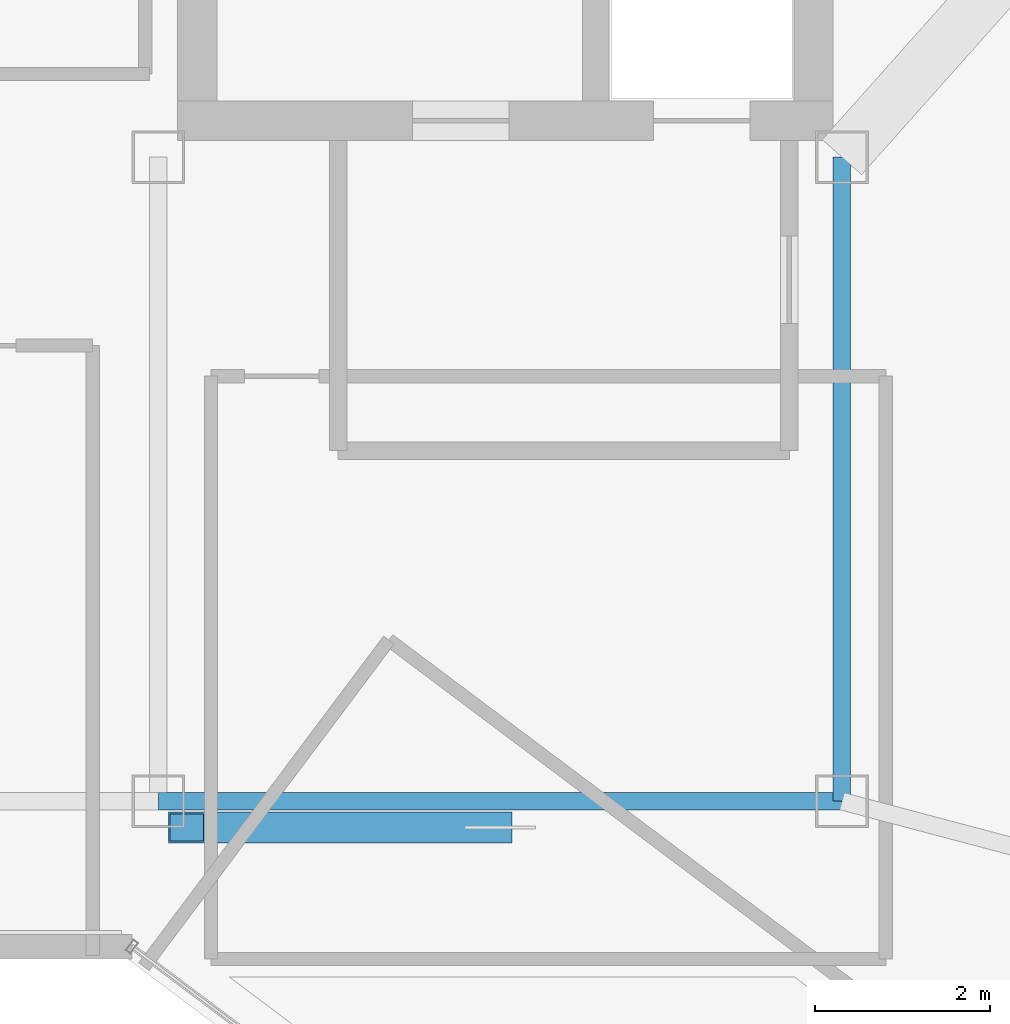
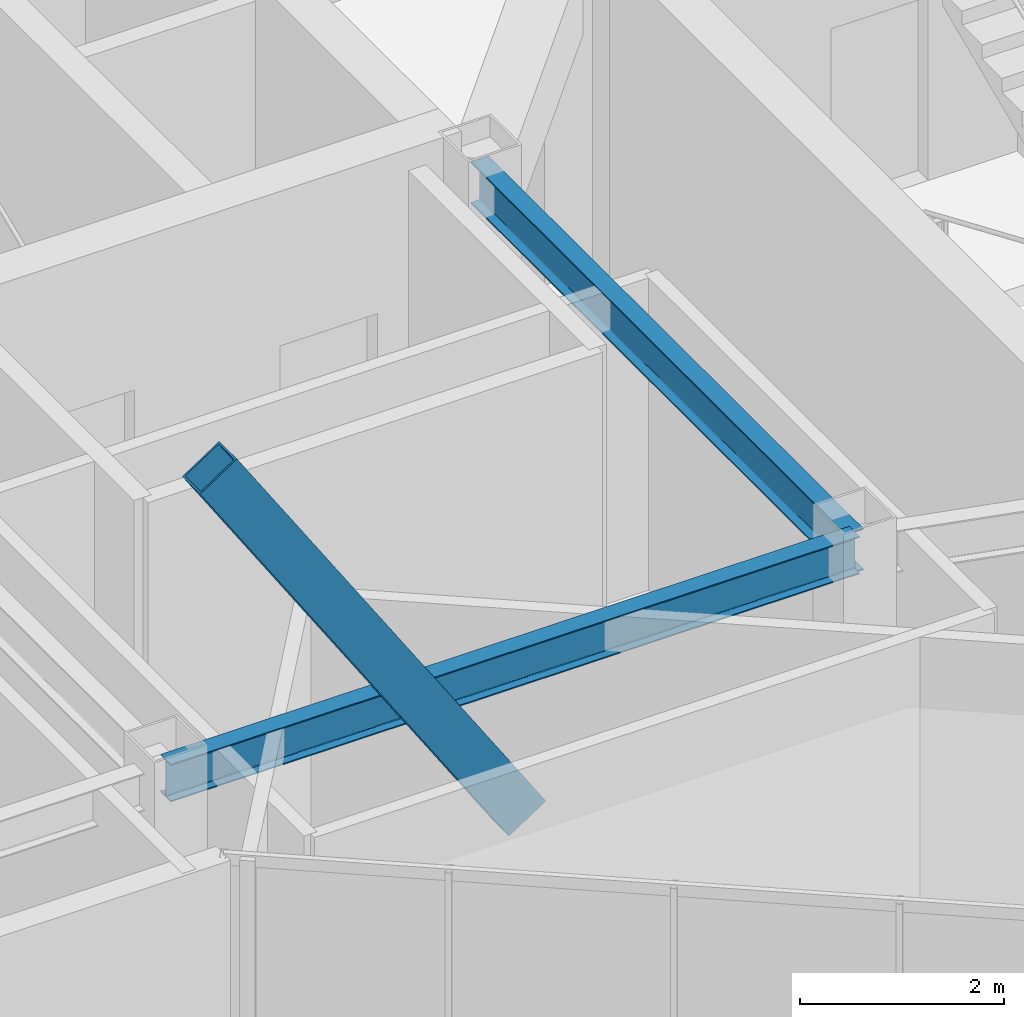
# One storey, part 6 of 31: 2 beams, 1 member.
"""IFC4 building model written with IfcOpenShell, lengths in metres."""

from ifc_helpers import new_model, si_unit, direction, frame, origin, origin_2d, place, context, subcontext, project, spatial, hollow_rectangle, i_section, extrude, material, material_profile, profile_set, type_object, element, save


model = new_model("IFC4")

# Units and contexts
model_context = context("Model", 3, precision=1e-05, world=origin(), true_north=direction((0.0, 1.0)))
body_context = subcontext(model_context, "Body", "Model", "MODEL_VIEW")
ifc_project = project(units=[si_unit("LENGTHUNIT", "METRE"), si_unit("AREAUNIT", "SQUARE_METRE"), si_unit("VOLUMEUNIT", "CUBIC_METRE"), si_unit("PLANEANGLEUNIT", "RADIAN"), si_unit("MASSUNIT", "GRAM", prefix="KILO")], contexts=[model_context])

# Site, building, storey
site_placement = place(None, origin())
site = spatial("IfcSite", under=ifc_project, at=site_placement, CompositionType="ELEMENT")
building_placement = place(site_placement, origin())
building = spatial("IfcBuilding", under=site, at=building_placement, Name="Hatsunagi Terrace Concourse", CompositionType="ELEMENT")
storey_placement = place(building_placement, frame((0.0, 0.0, 269.949951171875)))
storey = spatial("IfcBuildingStorey", under=building, at=storey_placement, Name="L71", CompositionType="ELEMENT", Elevation=269.949951171875)

# Beams
ifc_material_1 = material(Name="Steel SN490B", Category="steel")
ifc_material_profile_1 = material_profile(ifc_material_1, i_section(OverallWidth=0.199951171875, OverallDepth=0.5, WebThickness=0.010009765625, FlangeThickness=0.01611328125, FilletRadius=0.01611328125, at=origin_2d()), Name="H-500x200x10x16")
ifc_profile_set_1 = profile_set([ifc_material_profile_1], Name="Steel SN490B")
beam_type_1 = type_object("IfcBeamType", Name="CrownFloorGirder_H_500x200", PredefinedType="BEAM", material=ifc_profile_set_1)
beam_1_placement = place(storey_placement, frame((33.35009765625, 25.199951171875, 3.5), z_axis=(0.0, 1.0, 0.0), x_axis=(-1.0, 0.0, 0.0)))
element("IfcBeam", 1, at=beam_1_placement, inside=storey, type_object=beam_type_1, Name="Beam G-07 BM-L71-K2CA", PredefinedType="BEAM", context=body_context, shape_type="SweptSolid", body=[
    extrude(i_section(OverallWidth=0.199951171875, OverallDepth=0.5, WebThickness=0.010009765625, FlangeThickness=0.01611328125, FilletRadius=0.01611328125, at=origin_2d()), origin(), (0.0, 0.0, 1.0), 7.35009765625),
])
ifc_material_2 = material(Name="Steel SN490B", Category="steel")
ifc_material_profile_2 = material_profile(ifc_material_2, i_section(OverallWidth=0.199951171875, OverallDepth=0.449951171875, WebThickness=0.009033203125, FlangeThickness=0.013916015625, FilletRadius=0.01611328125, at=origin_2d()), Name="H-450x200x9x14")
ifc_profile_set_2 = profile_set([ifc_material_profile_2], Name="Steel SN490B")
beam_type_2 = type_object("IfcBeamType", Name="PerimeterSpandrel_H_450x200", PredefinedType="SPANDREL", material=ifc_profile_set_2)
beam_2_placement = place(storey_placement, frame((25.550048828125, 25.199951171875, 3.525146484375), z_axis=(1.0, 0.0, 0.0), x_axis=(0.0, 1.0, 0.0)))
element("IfcBeam", 2, at=beam_2_placement, inside=storey, type_object=beam_type_2, Name="Beam SP-02 BM-L71-WS-25", PredefinedType="SPANDREL", context=body_context, shape_type="SweptSolid", body=[
    extrude(i_section(OverallWidth=0.199951171875, OverallDepth=0.449951171875, WebThickness=0.009033203125, FlangeThickness=0.013916015625, FilletRadius=0.01611328125, at=origin_2d()), origin(), (0.0, 0.0, 1.0), 7.800048828125),
])

# Member
ifc_material_3 = material(Name="Steel SN490B", Category="steel")
ifc_material_profile_3 = material_profile(ifc_material_3, hollow_rectangle(XDim=0.35009765625, YDim=0.5, WallThickness=0.02197265625, at=origin_2d()), Name="RHS-500x350x22")
ifc_profile_set_3 = profile_set([ifc_material_profile_3], Name="Steel SN490B")
member_type = type_object("IfcMemberType", Name="PerimeterXBrace_Upper_RHS_500x350x22", PredefinedType="BRACE", material=ifc_profile_set_3)
member_placement = place(storey_placement, frame((25.875, 24.89990234375, 7.31005859375), z_axis=(0.54953830776, 0.0, -0.835468520235), x_axis=(0.0, 1.0, 0.0)))
element("IfcMember", 3, at=member_placement, inside=storey, type_object=member_type, Name="Perimeter X-Brace Split Upper XB-03 XB-L70-SEB1", PredefinedType="BRACE", context=body_context, shape_type="SweptSolid", body=[
    extrude(hollow_rectangle(XDim=0.35009765625, YDim=0.5, WallThickness=0.02197265625, at=origin_2d()), origin(), (0.0, 0.0, 1.0), 6.365478515625),
])

save(model, "model.ifc")
